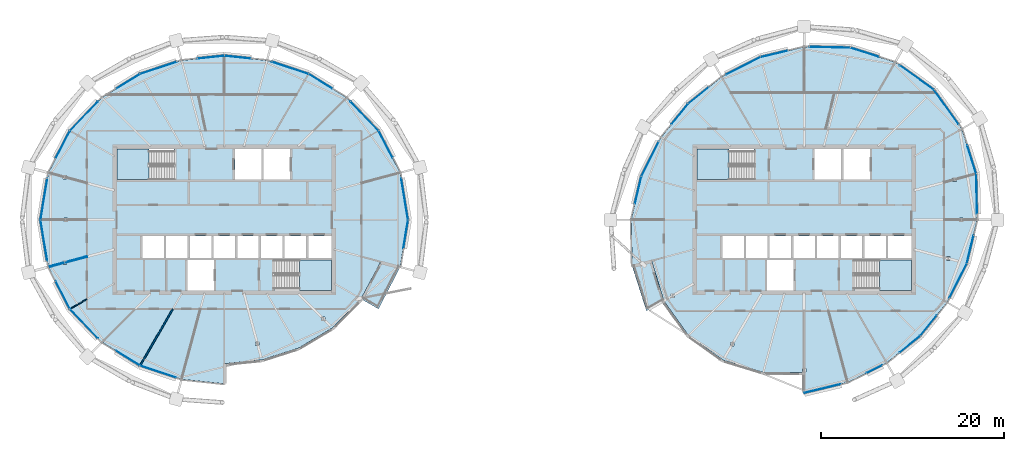
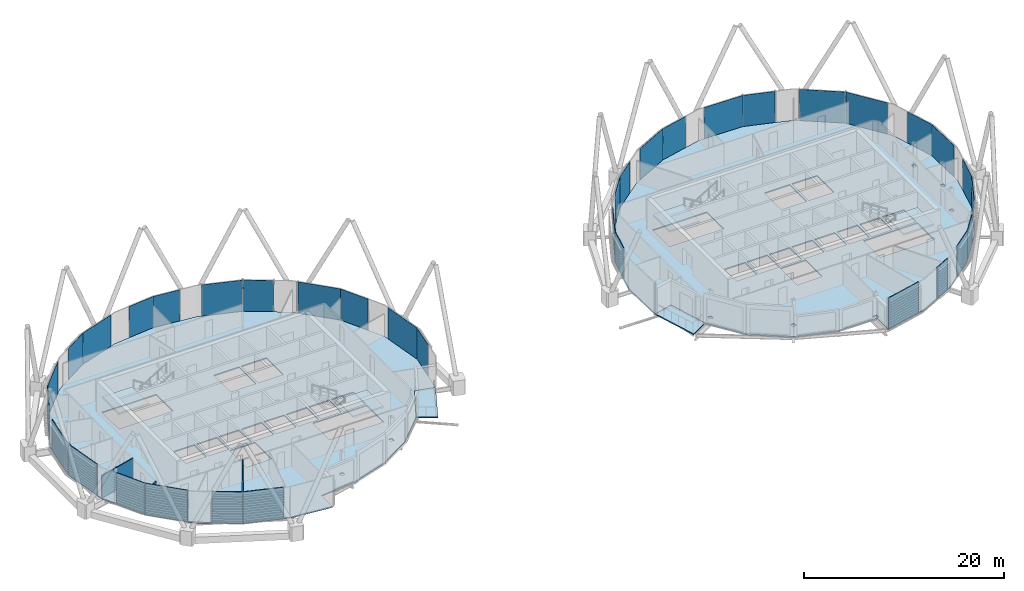
# One storey, part 17 of 31: 36 plates, 8 slabs, 3 walls, 6 elements without a shape of their own.
"""IFC4 building model written with IfcOpenShell, lengths in metres."""

from ifc_helpers import new_model, si_unit, direction, frame, frame_2d, origin, origin_2d, place, context, subcontext, project, spatial, polyline, rectangle, outline, extrude, material, layer, layer_set, type_object, element, aggregate, save


model = new_model("IFC4")

# Units and contexts
model_context = context("Model", 3, precision=1e-05, world=origin(), true_north=direction((0.0, 1.0)))
body_context = subcontext(model_context, "Body", "Model", "MODEL_VIEW")
ifc_project = project(units=[si_unit("LENGTHUNIT", "METRE"), si_unit("AREAUNIT", "SQUARE_METRE"), si_unit("VOLUMEUNIT", "CUBIC_METRE"), si_unit("PLANEANGLEUNIT", "RADIAN"), si_unit("MASSUNIT", "GRAM", prefix="KILO")], contexts=[model_context])

# Site, building, storey
site_placement = place(None, origin())
site = spatial("IfcSite", under=ifc_project, at=site_placement, CompositionType="ELEMENT")
building_placement = place(site_placement, origin())
building = spatial("IfcBuilding", under=site, at=building_placement, Name="Rimbun Link Towers", CompositionType="ELEMENT")
storey_placement = place(building_placement, frame((0.0, 0.0, 244.699951171875)))
storey = spatial("IfcBuildingStorey", under=building, at=storey_placement, Name="L60", CompositionType="ELEMENT", Elevation=244.699951171875)

# Slabs
ifc_material_1 = material(Name="Concrete C35/45", Category="concrete")
ifc_layer_1 = layer(ifc_material_1, 0.139892578125)
ifc_layer_set_1 = layer_set([ifc_layer_1], Name="COMPOSITE FLOOR 140")
slab_type_1 = type_object("IfcSlabType", Name="COMPOSITE FLOOR 140", PredefinedType="FLOOR", material=ifc_layer_set_1)
slab_1_placement = place(storey_placement, frame((0.0, 0.0, -0.139892578125)))
element("IfcSlab", 1, at=slab_1_placement, inside=storey, type_object=slab_type_1, Name="Floor slab T1 L60", PredefinedType="FLOOR", context=body_context, shape_type="SweptSolid", body=[
    extrude(outline(polyline([(-36.428466796875, -17.460693359375), (-40.96337890625, -15.957763671875), (-45.14208984375, -13.39208984375), (-48.635009765625, -9.74853515625), (-51.009033203125, -5.160400390625), (-51.857666015625, 0.0), (-51.009033203125, 5.160400390625), (-48.635009765625, 9.74853515625), (-45.14208984375, 13.39208984375), (-40.96337890625, 15.957763671875), (-36.428466796875, 17.460693359375), (-31.75, 17.953369140625), (-27.071533203125, 17.460693359375), (-22.53662109375, 15.957763671875), (-18.35791015625, 13.39208984375), (-14.864990234375, 9.74853515625), (-12.490966796875, 5.160400390625), (-11.642333984375, 0.0), (-12.490966796875, -5.160400390625), (-14.615966796875, -4.591064453125), (-16.77001953125, -8.648681640625), (-19.91357421875, -11.83642578125), (-23.63671875, -14.052490234375), (-27.640869140625, -15.33544921875), (-31.75, -15.75341796875), (-31.75, -17.953369140625), (-36.428466796875, -17.460693359375)]), holes=[polyline([(-32.89990234375, -7.75), (-32.89990234375, -4.39990234375), (-35.800048828125, -4.39990234375), (-35.800048828125, -7.75), (-32.89990234375, -7.75)]), polyline([(-49.03271484375, -4.881103515625), (-49.03271484375, -4.487548828125), (-49.431640625, -4.487548828125), (-49.431640625, -4.881103515625), (-49.03271484375, -4.881103515625)]), polyline([(-38.361083984375, -4.14990234375), (-38.361083984375, -1.75), (-40.70556640625, -1.75), (-40.70556640625, -4.14990234375), (-38.361083984375, -4.14990234375)]), polyline([(-35.7666015625, -4.14990234375), (-35.7666015625, -1.75), (-38.111083984375, -1.75), (-38.111083984375, -4.14990234375), (-35.7666015625, -4.14990234375)]), polyline([(-33.172119140625, -4.14990234375), (-33.172119140625, -1.75), (-35.5166015625, -1.75), (-35.5166015625, -4.14990234375), (-33.172119140625, -4.14990234375)]), polyline([(-30.577880859375, -4.14990234375), (-30.577880859375, -1.75), (-32.922119140625, -1.75), (-32.922119140625, -4.14990234375), (-30.577880859375, -4.14990234375)]), polyline([(-48.897216796875, -0.19677734375), (-48.897216796875, 0.19677734375), (-49.296142578125, 0.19677734375), (-49.296142578125, -0.19677734375), (-48.897216796875, -0.19677734375)]), polyline([(-49.431640625, 4.487548828125), (-49.03271484375, 4.487548828125), (-49.03271484375, 4.881103515625), (-49.431640625, 4.881103515625), (-49.431640625, 4.487548828125)]), polyline([(-43.5, 4.39990234375), (-37.260009765625, 4.39990234375), (-37.260009765625, 7.75), (-43.5, 7.75), (-43.5, 4.39990234375)]), polyline([(-27.921142578125, -13.741943359375), (-27.921142578125, -13.348388671875), (-28.320068359375, -13.348388671875), (-28.320068359375, -13.741943359375), (-27.921142578125, -13.741943359375)]), polyline([(-20.70556640625, -11.041748046875), (-20.70556640625, -10.648193359375), (-21.1044921875, -10.648193359375), (-21.1044921875, -11.041748046875), (-20.70556640625, -11.041748046875)]), polyline([(-20.0, -7.75), (-20.0, -4.39990234375), (-26.239990234375, -4.39990234375), (-26.239990234375, -7.75), (-20.0, -7.75)]), polyline([(-27.9833984375, -4.14990234375), (-27.9833984375, -1.75), (-30.327880859375, -1.75), (-30.327880859375, -4.14990234375), (-27.9833984375, -4.14990234375)]), polyline([(-25.388916015625, -4.14990234375), (-25.388916015625, -1.75), (-27.7333984375, -1.75), (-27.7333984375, -4.14990234375), (-25.388916015625, -4.14990234375)]), polyline([(-22.79443359375, -4.14990234375), (-22.79443359375, -1.75), (-25.138916015625, -1.75), (-25.138916015625, -4.14990234375), (-22.79443359375, -4.14990234375)]), polyline([(-20.0, -4.14990234375), (-20.0, -1.75), (-22.54443359375, -1.75), (-22.54443359375, -4.14990234375), (-20.0, -4.14990234375)]), polyline([(-30.60009765625, 4.39990234375), (-27.699951171875, 4.39990234375), (-27.699951171875, 7.75), (-30.60009765625, 7.75), (-30.60009765625, 4.39990234375)]), polyline([(-27.449951171875, 4.39990234375), (-24.550048828125, 4.39990234375), (-24.550048828125, 7.75), (-27.449951171875, 7.75), (-27.449951171875, 4.39990234375)])]), origin(), (0.0, 0.0, 1.0), 0.139892578125),
])
slab_2_placement = place(storey_placement, frame((0.0, 0.0, -0.139892578125)))
element("IfcSlab", 2, at=slab_2_placement, inside=storey, type_object=slab_type_1, Name="Floor slab T2 L60", PredefinedType="FLOOR", context=body_context, shape_type="SweptSolid", body=[
    extrude(outline(polyline([(12.810791015625, 0.0), (13.951416015625, 4.76904296875), (16.09521484375, 9.038330078125), (19.05517578125, 12.69482421875), (22.711669921875, 15.65478515625), (26.98095703125, 17.798583984375), (31.75, 18.939208984375), (36.79638671875, 18.8330078125), (41.71923828125, 17.267333984375), (45.96826171875, 14.21826171875), (49.017333984375, 9.96923828125), (50.5830078125, 5.04638671875), (50.689208984375, 0.0), (49.548583984375, -4.76904296875), (47.40478515625, -9.038330078125), (44.44482421875, -12.69482421875), (40.788330078125, -15.65478515625), (36.51904296875, -17.798583984375), (31.75, -18.939208984375), (31.75, -16.7392578125), (27.273193359375, -16.7080078125), (22.880615234375, -15.362060546875), (19.08740234375, -12.66259765625), (16.387939453125, -8.869384765625), (15.0419921875, -4.476806640625), (12.9169921875, -5.04638671875), (12.810791015625, 0.0)]), holes=[polyline([(31.949462890625, -16.66162109375), (31.949462890625, -16.267822265625), (31.550537109375, -16.267822265625), (31.550537109375, -16.66162109375), (31.949462890625, -16.66162109375)]), polyline([(24.0966796875, -13.798095703125), (24.0966796875, -13.404541015625), (23.69775390625, -13.404541015625), (23.69775390625, -13.798095703125), (24.0966796875, -13.798095703125)]), polyline([(17.55029296875, -8.510009765625), (17.55029296875, -8.116455078125), (17.1513671875, -8.116455078125), (17.1513671875, -8.510009765625), (17.55029296875, -8.510009765625)]), polyline([(30.60009765625, -7.75), (30.60009765625, -4.39990234375), (27.699951171875, -4.39990234375), (27.699951171875, -7.75), (30.60009765625, -7.75)]), polyline([(25.138916015625, -4.14990234375), (25.138916015625, -1.75), (22.79443359375, -1.75), (22.79443359375, -4.14990234375), (25.138916015625, -4.14990234375)]), polyline([(27.7333984375, -4.14990234375), (27.7333984375, -1.75), (25.388916015625, -1.75), (25.388916015625, -4.14990234375), (27.7333984375, -4.14990234375)]), polyline([(30.327880859375, -4.14990234375), (30.327880859375, -1.75), (27.9833984375, -1.75), (27.9833984375, -4.14990234375), (30.327880859375, -4.14990234375)]), polyline([(30.577880859375, -4.14990234375), (32.922119140625, -4.14990234375), (32.922119140625, -1.75), (30.577880859375, -1.75), (30.577880859375, -4.14990234375)]), polyline([(33.172119140625, -4.14990234375), (35.5166015625, -4.14990234375), (35.5166015625, -1.75), (33.172119140625, -1.75), (33.172119140625, -4.14990234375)]), polyline([(26.239990234375, 4.39990234375), (26.239990234375, 7.75), (20.0, 7.75), (20.0, 4.39990234375), (26.239990234375, 4.39990234375)]), polyline([(43.5, -7.75), (43.5, -4.39990234375), (37.260009765625, -4.39990234375), (37.260009765625, -7.75), (43.5, -7.75)]), polyline([(47.71923828125, -4.42236328125), (47.71923828125, -4.02880859375), (47.3203125, -4.02880859375), (47.3203125, -4.42236328125), (47.71923828125, -4.42236328125)]), polyline([(35.7666015625, -4.14990234375), (38.111083984375, -4.14990234375), (38.111083984375, -1.75), (35.7666015625, -1.75), (35.7666015625, -4.14990234375)]), polyline([(38.361083984375, -4.14990234375), (40.70556640625, -4.14990234375), (40.70556640625, -1.75), (38.361083984375, -1.75), (38.361083984375, -4.14990234375)]), polyline([(43.5, -4.14990234375), (43.5, -1.75), (40.95556640625, -1.75), (40.95556640625, -4.14990234375), (43.5, -4.14990234375)]), polyline([(49.155517578125, -0.19677734375), (49.155517578125, 0.19677734375), (48.75634765625, 0.19677734375), (48.75634765625, -0.19677734375), (49.155517578125, -0.19677734375)]), polyline([(48.410888671875, 4.214111328125), (48.410888671875, 4.607666015625), (48.011962890625, 4.607666015625), (48.011962890625, 4.214111328125), (48.410888671875, 4.214111328125)]), polyline([(32.89990234375, 4.39990234375), (35.800048828125, 4.39990234375), (35.800048828125, 7.75), (32.89990234375, 7.75), (32.89990234375, 4.39990234375)]), polyline([(36.050048828125, 4.39990234375), (38.949951171875, 4.39990234375), (38.949951171875, 7.75), (36.050048828125, 7.75), (36.050048828125, 4.39990234375)])]), origin(), (0.0, 0.0, 1.0), 0.139892578125),
])

# Curtain wall, plates
ifc_material_2 = material(Name="Aluminium 6063-T6 and low-iron glass", Category="aluminium")
curtain_wall_type = type_object("IfcCurtainWallType", Name="CW1-Z4 unitised vision wall (zone 4)", PredefinedType="NOTDEFINED", material=ifc_material_2)
curtain_wall_1_placement = place(storey_placement, origin())
curtain_wall_1 = element("IfcCurtainWall", 3, at=curtain_wall_1_placement, inside=storey, type_object=curtain_wall_type, Name="CW1 L60 T1", PredefinedType="NOTDEFINED")
ifc_material_3 = material(Name="Low-iron glass, laminated low-e unit", Category="glass")
ifc_layer_2 = layer(ifc_material_3, 0.028076171875)
ifc_layer_set_2 = layer_set([ifc_layer_2], Name="CW1 panel Low-iron glass 28")
plate_type = type_object("IfcPlateType", Name="CW1 panel Low-iron glass 28", PredefinedType="CURTAIN_PANEL", material=ifc_layer_set_2)
plate_1_placement = place(storey_placement, frame((-12.004150390625, 2.286376953125, 0.0), z_axis=(0.0, 0.0, 1.0), x_axis=(0.162262199201, -0.986747677327, 0.0)))
plate_1 = element("IfcPlate", 4, at=plate_1_placement, type_object=plate_type, Name="CW1 panel", PredefinedType="CURTAIN_PANEL", context=body_context, shape_type="SweptSolid", body=[
    extrude(rectangle(XDim=4.58984375, YDim=0.028076171875, at=origin_2d()), origin(), (0.0, 0.0, 1.0), 3.800048828125),
])
plate_2_placement = place(storey_placement, frame((-14.090576171875, 8.282470703125, 0.0), z_axis=(0.0, 0.0, 1.0), x_axis=(0.459551935126, -0.888150898734, 0.0)))
plate_2 = element("IfcPlate", 5, at=plate_2_placement, type_object=plate_type, Name="CW1 panel", PredefinedType="CURTAIN_PANEL", context=body_context, shape_type="SweptSolid", body=[
    extrude(rectangle(XDim=3.27587890625, YDim=0.028076171875, at=origin_2d()), origin(), (0.0, 0.0, 1.0), 3.800048828125),
])
plate_3_placement = place(storey_placement, frame((-16.393798828125, 11.363525390625, 0.0), z_axis=(0.0, 0.0, 1.0), x_axis=(0.692040898915, -0.721858292347, 0.0)))
plate_3 = element("IfcPlate", 6, at=plate_3_placement, type_object=plate_type, Name="CW1 panel", PredefinedType="CURTAIN_PANEL", context=body_context, shape_type="SweptSolid", body=[
    extrude(rectangle(XDim=4.407470703125, YDim=0.028076171875, at=origin_2d()), origin(), (0.0, 0.0, 1.0), 3.800048828125),
])
plate_4_placement = place(storey_placement, frame((-21.20703125, 15.15771484375, 0.0), z_axis=(0.0, 0.0, 1.0), x_axis=(0.852192124219, -0.523228997113, 0.0)))
plate_4 = element("IfcPlate", 7, at=plate_4_placement, type_object=plate_type, Name="CW1 panel", PredefinedType="CURTAIN_PANEL", context=body_context, shape_type="SweptSolid", body=[
    extrude(rectangle(XDim=3.0634765625, YDim=0.028076171875, at=origin_2d()), origin(), (0.0, 0.0, 1.0), 3.800048828125),
])
plate_5_placement = place(storey_placement, frame((-24.53857421875, 16.635986328125, 0.0), z_axis=(0.0, 0.0, 1.0), x_axis=(0.949234460205, -0.314569451089, 0.0)))
plate_5 = element("IfcPlate", 8, at=plate_5_placement, type_object=plate_type, Name="CW1 panel", PredefinedType="CURTAIN_PANEL", context=body_context, shape_type="SweptSolid", body=[
    extrude(rectangle(XDim=4.187255859375, YDim=0.028076171875, at=origin_2d()), origin(), (0.0, 0.0, 1.0), 3.800048828125),
])
plate_6_placement = place(storey_placement, frame((-30.279541015625, 17.8125, 0.0), z_axis=(0.0, 0.0, 1.0), x_axis=(0.994500443326, -0.10473236474, 0.0)))
plate_6 = element("IfcPlate", 9, at=plate_6_placement, type_object=plate_type, Name="CW1 panel", PredefinedType="CURTAIN_PANEL", context=body_context, shape_type="SweptSolid", body=[
    extrude(rectangle(XDim=2.914306640625, YDim=0.028076171875, at=origin_2d()), origin(), (0.0, 0.0, 1.0), 3.800048828125),
])
plate_7_placement = place(storey_placement, frame((-33.220458984375, 17.8125, 0.0), z_axis=(0.0, 0.0, 1.0), x_axis=(0.994500443326, 0.10473236474, 0.0)))
plate_7 = element("IfcPlate", 10, at=plate_7_placement, type_object=plate_type, Name="CW1 panel", PredefinedType="CURTAIN_PANEL", context=body_context, shape_type="SweptSolid", body=[
    extrude(rectangle(XDim=2.914306640625, YDim=0.028076171875, at=origin_2d()), origin(), (0.0, 0.0, 1.0), 3.800048828125),
])
plate_8_placement = place(storey_placement, frame((-38.96142578125, 16.635986328125, 0.0), z_axis=(0.0, 0.0, 1.0), x_axis=(0.949234460205, 0.314569451089, 0.0)))
plate_8 = element("IfcPlate", 11, at=plate_8_placement, type_object=plate_type, Name="CW1 panel", PredefinedType="CURTAIN_PANEL", context=body_context, shape_type="SweptSolid", body=[
    extrude(rectangle(XDim=4.187255859375, YDim=0.028076171875, at=origin_2d()), origin(), (0.0, 0.0, 1.0), 3.800048828125),
])
plate_9_placement = place(storey_placement, frame((-42.29296875, 15.15771484375, 0.0), z_axis=(0.0, 0.0, 1.0), x_axis=(0.852192124219, 0.523228997113, 0.0)))
plate_9 = element("IfcPlate", 12, at=plate_9_placement, type_object=plate_type, Name="CW1 panel", PredefinedType="CURTAIN_PANEL", context=body_context, shape_type="SweptSolid", body=[
    extrude(rectangle(XDim=3.0634765625, YDim=0.028076171875, at=origin_2d()), origin(), (0.0, 0.0, 1.0), 3.800048828125),
])
plate_10_placement = place(storey_placement, frame((-47.106201171875, 11.363525390625, 0.0), z_axis=(0.0, 0.0, 1.0), x_axis=(0.692040898915, 0.721858292347, 0.0)))
plate_10 = element("IfcPlate", 13, at=plate_10_placement, type_object=plate_type, Name="CW1 panel", PredefinedType="CURTAIN_PANEL", context=body_context, shape_type="SweptSolid", body=[
    extrude(rectangle(XDim=4.407470703125, YDim=0.028076171875, at=origin_2d()), origin(), (0.0, 0.0, 1.0), 3.800048828125),
])
plate_11_placement = place(storey_placement, frame((-49.432373046875, 8.238037109375, 0.0), z_axis=(0.0, 0.0, 1.0), x_axis=(0.459551935126, 0.888150898734, 0.0)))
plate_11 = element("IfcPlate", 14, at=plate_11_placement, type_object=plate_type, Name="CW1 panel", PredefinedType="CURTAIN_PANEL", context=body_context, shape_type="SweptSolid", body=[
    extrude(rectangle(XDim=3.3759765625, YDim=0.028076171875, at=origin_2d()), origin(), (0.0, 0.0, 1.0), 3.800048828125),
])
plate_12_placement = place(storey_placement, frame((-51.5, 2.26171875, 0.0), z_axis=(0.0, 0.0, 1.0), x_axis=(0.162262199201, 0.986747677327, 0.0)))
plate_12 = element("IfcPlate", 15, at=plate_12_placement, type_object=plate_type, Name="CW1 panel", PredefinedType="CURTAIN_PANEL", context=body_context, shape_type="SweptSolid", body=[
    extrude(rectangle(XDim=4.539794921875, YDim=0.028076171875, at=origin_2d()), origin(), (0.0, 0.0, 1.0), 3.800048828125),
])
plate_13_placement = place(storey_placement, frame((-51.5, -2.26171875, 0.0), z_axis=(0.0, 0.0, 1.0), x_axis=(-0.162262199201, 0.986747677327, 0.0)))
plate_13 = element("IfcPlate", 16, at=plate_13_placement, type_object=plate_type, Name="CW1 panel", PredefinedType="CURTAIN_PANEL", context=body_context, shape_type="SweptSolid", body=[
    extrude(rectangle(XDim=4.539794921875, YDim=0.028076171875, at=origin_2d()), origin(), (0.0, 0.0, 1.0), 3.800048828125),
])
plate_14_placement = place(storey_placement, frame((-49.432373046875, -8.238037109375, 0.0), z_axis=(0.0, 0.0, 1.0), x_axis=(-0.459551935126, 0.888150898734, 0.0)))
plate_14 = element("IfcPlate", 17, at=plate_14_placement, type_object=plate_type, Name="CW1 panel", PredefinedType="CURTAIN_PANEL", context=body_context, shape_type="SweptSolid", body=[
    extrude(rectangle(XDim=3.3759765625, YDim=0.028076171875, at=origin_2d()), origin(), (0.0, 0.0, 1.0), 3.800048828125),
])
plate_15_placement = place(storey_placement, frame((-47.106201171875, -11.363525390625, 0.0), z_axis=(0.0, 0.0, 1.0), x_axis=(-0.692040898915, 0.721858292347, 0.0)))
plate_15 = element("IfcPlate", 18, at=plate_15_placement, type_object=plate_type, Name="CW1 panel", PredefinedType="CURTAIN_PANEL", context=body_context, shape_type="SweptSolid", body=[
    extrude(rectangle(XDim=4.407470703125, YDim=0.028076171875, at=origin_2d()), origin(), (0.0, 0.0, 1.0), 3.800048828125),
])
plate_16_placement = place(storey_placement, frame((-42.29296875, -15.15771484375, 0.0), z_axis=(0.0, 0.0, 1.0), x_axis=(-0.852192124219, 0.523228997113, 0.0)))
plate_16 = element("IfcPlate", 19, at=plate_16_placement, type_object=plate_type, Name="CW1 panel", PredefinedType="CURTAIN_PANEL", context=body_context, shape_type="SweptSolid", body=[
    extrude(rectangle(XDim=3.0634765625, YDim=0.028076171875, at=origin_2d()), origin(), (0.0, 0.0, 1.0), 3.800048828125),
])
plate_17_placement = place(storey_placement, frame((-38.985107421875, -16.628173828125, 0.0), z_axis=(0.0, 0.0, 1.0), x_axis=(-0.949234460205, 0.314569451089, 0.0)))
plate_17 = element("IfcPlate", 20, at=plate_17_placement, type_object=plate_type, Name="CW1 panel", PredefinedType="CURTAIN_PANEL", context=body_context, shape_type="SweptSolid", body=[
    extrude(rectangle(XDim=4.13720703125, YDim=0.028076171875, at=origin_2d()), origin(), (0.0, 0.0, 1.0), 3.800048828125),
])
plate_18_placement = place(storey_placement, frame((-11.886474609375, -1.571044921875, 0.0), z_axis=(0.0, 0.0, 1.0), x_axis=(-0.162262199201, -0.986747677327, 0.0)))
plate_18 = element("IfcPlate", 21, at=plate_18_placement, type_object=plate_type, Name="CW1 panel", PredefinedType="CURTAIN_PANEL", context=body_context, shape_type="SweptSolid", body=[
    extrude(rectangle(XDim=3.139892578125, YDim=0.028076171875, at=origin_2d()), origin(), (0.0, 0.0, 1.0), 3.800048828125),
])
aggregate(curtain_wall_1, [plate_1, plate_2, plate_3, plate_4, plate_5, plate_6, plate_7, plate_8, plate_9, plate_10, plate_11, plate_12, plate_13, plate_14, plate_15, plate_16, plate_17, plate_18])

curtain_wall_2_placement = place(storey_placement, origin())
curtain_wall_2 = element("IfcCurtainWall", 22, at=curtain_wall_2_placement, inside=storey, type_object=curtain_wall_type, Name="CW1 L60 T2", PredefinedType="NOTDEFINED")
plate_19_placement = place(storey_placement, frame((44.095703125, 15.579345703125, 0.0), z_axis=(0.0, 0.0, 1.0), x_axis=(0.812465398272, -0.583009413827, 0.0)))
plate_19 = element("IfcPlate", 23, at=plate_19_placement, type_object=plate_type, Name="CW1 panel", PredefinedType="CURTAIN_PANEL", context=body_context, shape_type="SweptSolid", body=[
    extrude(rectangle(XDim=4.58984375, YDim=0.028076171875, at=origin_2d()), origin(), (0.0, 0.0, 1.0), 3.800048828125),
])
plate_20_placement = place(storey_placement, frame((38.380615234375, 18.34375, 0.0), z_axis=(0.0, 0.0, 1.0), x_axis=(0.952971021704, -0.303061432375, 0.0)))
plate_20 = element("IfcPlate", 24, at=plate_20_placement, type_object=plate_type, Name="CW1 panel", PredefinedType="CURTAIN_PANEL", context=body_context, shape_type="SweptSolid", body=[
    extrude(rectangle(XDim=3.27587890625, YDim=0.028076171875, at=origin_2d()), origin(), (0.0, 0.0, 1.0), 3.800048828125),
])
plate_21_placement = place(storey_placement, frame((34.573486328125, 18.893798828125, 0.0), z_axis=(0.0, 0.0, 1.0), x_axis=(0.999778207989, -0.021060266635, 0.0)))
plate_21 = element("IfcPlate", 25, at=plate_21_placement, type_object=plate_type, Name="CW1 panel", PredefinedType="CURTAIN_PANEL", context=body_context, shape_type="SweptSolid", body=[
    extrude(rectangle(XDim=4.407470703125, YDim=0.028076171875, at=origin_2d()), origin(), (0.0, 0.0, 1.0), 3.800048828125),
])
plate_22_placement = place(storey_placement, frame((28.48681640625, 18.173095703125, 0.0), z_axis=(0.0, 0.0, 1.0), x_axis=(0.972571370192, 0.232604664363, 0.0)))
plate_22 = element("IfcPlate", 26, at=plate_22_placement, type_object=plate_type, Name="CW1 panel", PredefinedType="CURTAIN_PANEL", context=body_context, shape_type="SweptSolid", body=[
    extrude(rectangle(XDim=3.063720703125, YDim=0.028076171875, at=origin_2d()), origin(), (0.0, 0.0, 1.0), 3.800048828125),
])
plate_23_placement = place(storey_placement, frame((25.085693359375, 16.862548828125, 0.0), z_axis=(0.0, 0.0, 1.0), x_axis=(0.893647148893, 0.4487702901, 0.0)))
plate_23 = element("IfcPlate", 27, at=plate_23_placement, type_object=plate_type, Name="CW1 panel", PredefinedType="CURTAIN_PANEL", context=body_context, shape_type="SweptSolid", body=[
    extrude(rectangle(XDim=4.187255859375, YDim=0.028076171875, at=origin_2d()), origin(), (0.0, 0.0, 1.0), 3.800048828125),
])
plate_24_placement = place(storey_placement, frame((20.175048828125, 13.619384765625, 0.0), z_axis=(0.0, 0.0, 1.0), x_axis=(0.777276551105, 0.629159092045, 0.0)))
plate_24 = element("IfcPlate", 28, at=plate_24_placement, type_object=plate_type, Name="CW1 panel", PredefinedType="CURTAIN_PANEL", context=body_context, shape_type="SweptSolid", body=[
    extrude(rectangle(XDim=2.8642578125, YDim=0.028076171875, at=origin_2d()), origin(), (0.0, 0.0, 1.0), 3.800048828125),
])
plate_25_placement = place(storey_placement, frame((18.130615234375, 11.574951171875, 0.0), z_axis=(0.0, 0.0, 1.0), x_axis=(0.629159092045, 0.777276551105, 0.0)))
plate_25 = element("IfcPlate", 29, at=plate_25_placement, type_object=plate_type, Name="CW1 panel", PredefinedType="CURTAIN_PANEL", context=body_context, shape_type="SweptSolid", body=[
    extrude(rectangle(XDim=2.8642578125, YDim=0.028076171875, at=origin_2d()), origin(), (0.0, 0.0, 1.0), 3.800048828125),
])
plate_26_placement = place(storey_placement, frame((14.887451171875, 6.664306640625, 0.0), z_axis=(0.0, 0.0, 1.0), x_axis=(0.4487702901, 0.893647148893, 0.0)))
plate_26 = element("IfcPlate", 30, at=plate_26_placement, type_object=plate_type, Name="CW1 panel", PredefinedType="CURTAIN_PANEL", context=body_context, shape_type="SweptSolid", body=[
    extrude(rectangle(XDim=4.187255859375, YDim=0.028076171875, at=origin_2d()), origin(), (0.0, 0.0, 1.0), 3.800048828125),
])
plate_27_placement = place(storey_placement, frame((13.571044921875, 3.23876953125, 0.0), z_axis=(0.0, 0.0, 1.0), x_axis=(0.232604664363, 0.972571370192, 0.0)))
plate_27 = element("IfcPlate", 31, at=plate_27_placement, type_object=plate_type, Name="CW1 panel", PredefinedType="CURTAIN_PANEL", context=body_context, shape_type="SweptSolid", body=[
    extrude(rectangle(XDim=3.113525390625, YDim=0.028076171875, at=origin_2d()), origin(), (0.0, 0.0, 1.0), 3.800048828125),
])
plate_28_placement = place(storey_placement, frame((33.773193359375, -18.4697265625, 0.0), z_axis=(0.0, 0.0, 1.0), x_axis=(-0.972571370192, -0.232604664363, 0.0)))
plate_28 = element("IfcPlate", 32, at=plate_28_placement, type_object=plate_type, Name="CW1 panel", PredefinedType="CURTAIN_PANEL", context=body_context, shape_type="SweptSolid", body=[
    extrude(rectangle(XDim=4.113525390625, YDim=0.028076171875, at=origin_2d()), origin(), (0.0, 0.0, 1.0), 3.800048828125),
])
plate_29_placement = place(storey_placement, frame((39.44189453125, -16.346435546875, 0.0), z_axis=(0.0, 0.0, 1.0), x_axis=(-0.893647148893, -0.4487702901, 0.0)))
plate_29 = element("IfcPlate", 33, at=plate_29_placement, type_object=plate_type, Name="CW1 panel", PredefinedType="CURTAIN_PANEL", context=body_context, shape_type="SweptSolid", body=[
    extrude(rectangle(XDim=1.88720703125, YDim=0.028076171875, at=origin_2d()), origin(), (0.0, 0.0, 1.0), 3.800048828125),
])
plate_30_placement = place(storey_placement, frame((43.324951171875, -13.619384765625, 0.0), z_axis=(0.0, 0.0, 1.0), x_axis=(-0.777276551105, -0.629159092045, 0.0)))
plate_30 = element("IfcPlate", 34, at=plate_30_placement, type_object=plate_type, Name="CW1 panel", PredefinedType="CURTAIN_PANEL", context=body_context, shape_type="SweptSolid", body=[
    extrude(rectangle(XDim=2.8642578125, YDim=0.028076171875, at=origin_2d()), origin(), (0.0, 0.0, 1.0), 3.800048828125),
])
plate_31_placement = place(storey_placement, frame((45.369384765625, -11.574951171875, 0.0), z_axis=(0.0, 0.0, 1.0), x_axis=(-0.629159092045, -0.777276551105, 0.0)))
plate_31 = element("IfcPlate", 35, at=plate_31_placement, type_object=plate_type, Name="CW1 panel", PredefinedType="CURTAIN_PANEL", context=body_context, shape_type="SweptSolid", body=[
    extrude(rectangle(XDim=2.8642578125, YDim=0.028076171875, at=origin_2d()), origin(), (0.0, 0.0, 1.0), 3.800048828125),
])
plate_32_placement = place(storey_placement, frame((48.612548828125, -6.664306640625, 0.0), z_axis=(0.0, 0.0, 1.0), x_axis=(-0.4487702901, -0.893647148893, 0.0)))
plate_32 = element("IfcPlate", 36, at=plate_32_placement, type_object=plate_type, Name="CW1 panel", PredefinedType="CURTAIN_PANEL", context=body_context, shape_type="SweptSolid", body=[
    extrude(rectangle(XDim=4.187255859375, YDim=0.028076171875, at=origin_2d()), origin(), (0.0, 0.0, 1.0), 3.800048828125),
])
plate_33_placement = place(storey_placement, frame((49.928955078125, -3.23876953125, 0.0), z_axis=(0.0, 0.0, 1.0), x_axis=(-0.232604664363, -0.972571370192, 0.0)))
plate_33 = element("IfcPlate", 37, at=plate_33_placement, type_object=plate_type, Name="CW1 panel", PredefinedType="CURTAIN_PANEL", context=body_context, shape_type="SweptSolid", body=[
    extrude(rectangle(XDim=3.113525390625, YDim=0.028076171875, at=origin_2d()), origin(), (0.0, 0.0, 1.0), 3.800048828125),
])
plate_34_placement = place(storey_placement, frame((50.643310546875, 2.848388671875, 0.0), z_axis=(0.0, 0.0, 1.0), x_axis=(0.021060266635, -0.999778207989, 0.0)))
plate_34 = element("IfcPlate", 38, at=plate_34_placement, type_object=plate_type, Name="CW1 panel", PredefinedType="CURTAIN_PANEL", context=body_context, shape_type="SweptSolid", body=[
    extrude(rectangle(XDim=4.357421875, YDim=0.028076171875, at=origin_2d()), origin(), (0.0, 0.0, 1.0), 3.800048828125),
])
plate_35_placement = place(storey_placement, frame((50.101318359375, 6.606689453125, 0.0), z_axis=(0.0, 0.0, 1.0), x_axis=(0.303061432375, -0.952971021704, 0.0)))
plate_35 = element("IfcPlate", 39, at=plate_35_placement, type_object=plate_type, Name="CW1 panel", PredefinedType="CURTAIN_PANEL", context=body_context, shape_type="SweptSolid", body=[
    extrude(rectangle(XDim=3.225830078125, YDim=0.028076171875, at=origin_2d()), origin(), (0.0, 0.0, 1.0), 3.800048828125),
])
plate_36_placement = place(storey_placement, frame((47.329345703125, 12.345703125, 0.0), z_axis=(0.0, 0.0, 1.0), x_axis=(0.583009413827, -0.812465398272, 0.0)))
plate_36 = element("IfcPlate", 40, at=plate_36_placement, type_object=plate_type, Name="CW1 panel", PredefinedType="CURTAIN_PANEL", context=body_context, shape_type="SweptSolid", body=[
    extrude(rectangle(XDim=4.58984375, YDim=0.028076171875, at=origin_2d()), origin(), (0.0, 0.0, 1.0), 3.800048828125),
])
aggregate(curtain_wall_2, [plate_19, plate_20, plate_21, plate_22, plate_23, plate_24, plate_25, plate_26, plate_27, plate_28, plate_29, plate_30, plate_31, plate_32, plate_33, plate_34, plate_35, plate_36])

# Stair, slab
ifc_material_4 = material(Name="Concrete C40/50", Category="concrete")
stair_type = type_object("IfcStairType", Name="Exit stair 3800 rise", PredefinedType="HALF_TURN_STAIR", material=ifc_material_4)
stair_1_placement = place(storey_placement, origin())
stair_1 = element("IfcStair", 41, at=stair_1_placement, inside=storey, type_object=stair_type, Name="L60 EXIT STAIR A", PredefinedType="HALF_TURN_STAIR")
ifc_material_5 = material(Name="Concrete C40/50", Category="concrete")
ifc_layer_3 = layer(ifc_material_5, 0.199951171875)
ifc_layer_set_3 = layer_set([ifc_layer_3], Name="Stair landing")
slab_type_2 = type_object("IfcSlabType", Name="Stair landing", PredefinedType="LANDING", material=ifc_layer_set_3)
slab_3_placement = place(storey_placement, frame((0.0, 0.0, 1.699951171875)))
slab_3 = element("IfcSlab", 42, at=slab_3_placement, type_object=slab_type_2, Name="ST1 landing 1", PredefinedType="LANDING", context=body_context, shape_type="SweptSolid", body=[
    extrude(outline(polyline([(-40.0, 7.75), (-43.5, 7.75), (-43.5, 4.39990234375), (-40.0, 4.39990234375), (-40.0, 7.75)])), origin(), (0.0, 0.0, 1.0), 0.2001953125),
])
aggregate(stair_1, [slab_3])

stair_2_placement = place(storey_placement, origin())
stair_2 = element("IfcStair", 43, at=stair_2_placement, inside=storey, type_object=stair_type, Name="L60 EXIT STAIR B", PredefinedType="HALF_TURN_STAIR")
slab_4_placement = place(storey_placement, frame((0.0, 0.0, 1.699951171875)))
slab_4 = element("IfcSlab", 44, at=slab_4_placement, type_object=slab_type_2, Name="ST2 landing 1", PredefinedType="LANDING", context=body_context, shape_type="SweptSolid", body=[
    extrude(outline(polyline([(-23.5, -7.75), (-20.0, -7.75), (-20.0, -4.39990234375), (-23.5, -4.39990234375), (-23.5, -7.75)])), origin(), (0.0, 0.0, 1.0), 0.2001953125),
])
aggregate(stair_2, [slab_4])

stair_3_placement = place(storey_placement, origin())
stair_3 = element("IfcStair", 45, at=stair_3_placement, inside=storey, type_object=stair_type, Name="L60 EXIT STAIR A", PredefinedType="HALF_TURN_STAIR")
slab_5_placement = place(storey_placement, frame((0.0, 0.0, 1.699951171875)))
slab_5 = element("IfcSlab", 46, at=slab_5_placement, type_object=slab_type_2, Name="ST3 landing 1", PredefinedType="LANDING", context=body_context, shape_type="SweptSolid", body=[
    extrude(outline(polyline([(23.5, 7.75), (20.0, 7.75), (20.0, 4.39990234375), (23.5, 4.39990234375), (23.5, 7.75)])), origin(), (0.0, 0.0, 1.0), 0.2001953125),
])
aggregate(stair_3, [slab_5])

stair_4_placement = place(storey_placement, origin())
stair_4 = element("IfcStair", 47, at=stair_4_placement, inside=storey, type_object=stair_type, Name="L60 EXIT STAIR B", PredefinedType="HALF_TURN_STAIR")
slab_6_placement = place(storey_placement, frame((0.0, 0.0, 1.699951171875)))
slab_6 = element("IfcSlab", 48, at=slab_6_placement, type_object=slab_type_2, Name="ST4 landing 1", PredefinedType="LANDING", context=body_context, shape_type="SweptSolid", body=[
    extrude(outline(polyline([(40.0, -7.75), (43.5, -7.75), (43.5, -4.39990234375), (40.0, -4.39990234375), (40.0, -7.75)])), origin(), (0.0, 0.0, 1.0), 0.2001953125),
])
aggregate(stair_4, [slab_6])

# Slabs
ifc_material_6 = material(Name="Concrete C35/45", Category="concrete")
ifc_layer_4 = layer(ifc_material_6, 0.139892578125)
ifc_layer_set_4 = layer_set([ifc_layer_4], Name="TERRACE SLAB 140")
slab_type_3 = type_object("IfcSlabType", Name="TERRACE SLAB 140", PredefinedType="FLOOR", material=ifc_layer_set_4)
slab_7_placement = place(storey_placement, frame((0.0, 0.0, -0.139892578125)))
element("IfcSlab", 49, at=slab_7_placement, inside=storey, type_object=slab_type_3, Name="Terrace slab T1 L60", PredefinedType="FLOOR", context=body_context, shape_type="SweptSolid", body=[
    extrude(outline(polyline([(-16.77001953125, -8.648681640625), (-14.615966796875, -4.591064453125), (-12.490966796875, -5.160400390625), (-14.864990234375, -9.74853515625), (-16.77001953125, -8.648681640625)])), origin(), (0.0, 0.0, 1.0), 0.139892578125),
])
slab_8_placement = place(storey_placement, frame((0.0, 0.0, -0.139892578125)))
element("IfcSlab", 50, at=slab_8_placement, inside=storey, type_object=slab_type_3, Name="Terrace slab T2 L60", PredefinedType="FLOOR", context=body_context, shape_type="SweptSolid", body=[
    extrude(outline(polyline([(15.0419921875, -4.476806640625), (16.387939453125, -8.869384765625), (14.482666015625, -9.96923828125), (12.9169921875, -5.04638671875), (15.0419921875, -4.476806640625)])), origin(), (0.0, 0.0, 1.0), 0.139892578125),
])

# Walls
ifc_material_7 = material(Name="Plasterboard on steel stud", Category="steel")
ifc_layer_5 = layer(ifc_material_7, 0.10009765625)
ifc_layer_set_5 = layer_set([ifc_layer_5], Name="Plasterboard partition 100 mm")
wall_type_1 = type_object("IfcWallType", Name="Plasterboard partition 100 mm", PredefinedType="PARTITIONING", material=ifc_layer_set_5)
wall_1_placement = place(storey_placement, frame((-51.009033203125, -5.160400390625, 0.0), z_axis=(0.0, 0.0, 1.0), x_axis=(0.965926422845, 0.258816818714, 0.0)))
element("IfcWall", 51, at=wall_1_placement, inside=storey, type_object=wall_type_1, Name="Plasterboard partition 100 mm", PredefinedType="PARTITIONING", context=body_context, shape_type="SweptSolid", body=[
    extrude(rectangle(XDim=4.383544921875, YDim=0.10009765625, at=frame_2d((2.19189453125, 0.0))), origin(), (0.0, 0.0, 1.0), 2.72216796875),
])
wall_2_placement = place(storey_placement, frame((-48.635009765625, -9.74853515625, 0.0), z_axis=(0.0, 0.0, 1.0), x_axis=(0.866066338354, 0.499929092542, 0.0)))
element("IfcWall", 52, at=wall_2_placement, inside=storey, type_object=wall_type_1, Name="Plasterboard partition 100 mm", PredefinedType="PARTITIONING", context=body_context, shape_type="SweptSolid", body=[
    extrude(rectangle(XDim=2.147705078125, YDim=0.10009765625, at=frame_2d((1.07373046875, 0.0))), origin(), (0.0, 0.0, 1.0), 2.72216796875),
])
ifc_material_8 = material(Name="Plasterboard on steel stud, mineral wool", Category="steel")
ifc_layer_6 = layer(ifc_material_8, 0.14990234375)
ifc_layer_set_6 = layer_set([ifc_layer_6], Name="Tenancy separation wall EI 60 150 mm")
wall_type_2 = type_object("IfcWallType", Name="Tenancy separation wall EI 60 150 mm", PredefinedType="PARTITIONING", material=ifc_layer_set_6)
wall_3_placement = place(storey_placement, frame((-37.387939453125, -9.764892578125, 0.0), z_axis=(0.0, 0.0, 1.0), x_axis=(-0.499998286239, -0.866026393222, 0.0)))
element("IfcWall", 53, at=wall_3_placement, inside=storey, type_object=wall_type_2, Name="Tenancy separation wall EI 60 150 mm", PredefinedType="PARTITIONING", context=body_context, shape_type="SweptSolid", body=[
    extrude(rectangle(XDim=7.15087890625, YDim=0.14990234375, at=frame_2d((3.575439453125, 0.0))), origin(), (0.0, 0.0, 1.0), 2.72216796875),
])

save(model, "model.ifc")
